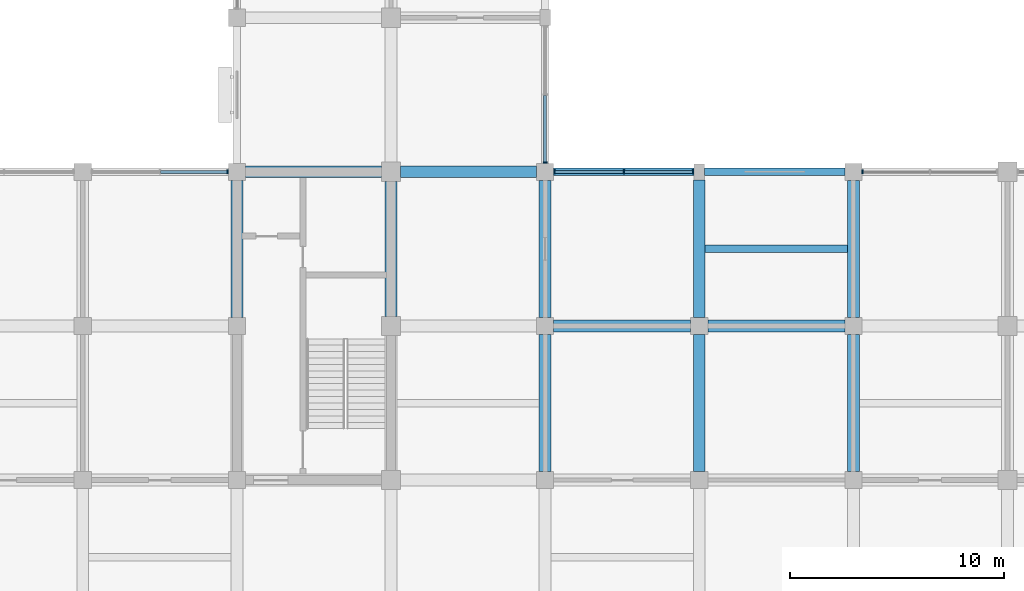
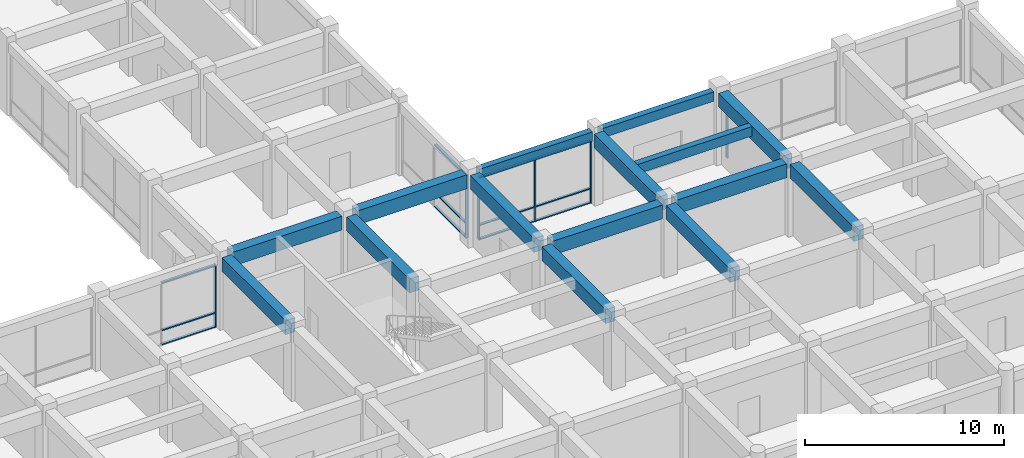
# One storey, part 31 of 75: 18 members, 15 beams, 4 elements without a shape of their own.
"""IFC4 building model written with IfcOpenShell, lengths in metres."""

from ifc_helpers import new_model, si_unit, direction, frame, origin, origin_2d, place, context, subcontext, project, spatial, rectangle, extrude, material, layer, layer_set, material_profile, profile_set, type_object, element, aggregate, save


model = new_model("IFC4")

# Units and contexts
model_context = context("Model", 3, precision=1e-05, world=origin(), true_north=direction((0.0, 1.0)))
body_context = subcontext(model_context, "Body", "Model", "MODEL_VIEW")
ifc_project = project(units=[si_unit("LENGTHUNIT", "METRE"), si_unit("AREAUNIT", "SQUARE_METRE"), si_unit("VOLUMEUNIT", "CUBIC_METRE"), si_unit("PLANEANGLEUNIT", "RADIAN"), si_unit("MASSUNIT", "GRAM", prefix="KILO")], contexts=[model_context])

# Site, building, storey
site_placement = place(None, origin())
site = spatial("IfcSite", under=ifc_project, at=site_placement, CompositionType="ELEMENT")
building_placement = place(site_placement, origin())
building = spatial("IfcBuilding", under=site, at=building_placement, Name="Cendaluz Park School", CompositionType="ELEMENT")
storey_placement = place(building_placement, frame((0.0, 0.0, 4.800048828125)))
storey = spatial("IfcBuildingStorey", under=building, at=storey_placement, Name="L01", CompositionType="ELEMENT", Elevation=4.800048828125)

# Beams
ifc_material_1 = material(Name="Concrete C40/50", Category="concrete")
ifc_material_profile_1 = material_profile(ifc_material_1, rectangle(XDim=0.550048828125, YDim=0.85009765625, at=origin_2d()), Name="RC 550x850", Category="concrete")
ifc_profile_set_1 = profile_set([ifc_material_profile_1], Name="Concrete C40/50")
beam_type_1 = type_object("IfcBeamType", Name="BM-RC01", PredefinedType="BEAM", material=ifc_profile_set_1)
for number, where, z_axis, x_axis, name in (
    (1, (130.0, 28.800048828125, 4.0048828125), (1.0, 0.0, 0.0), (0.0, 1.0, 0.0), "BM-L01-BMRC01-0160"),
    (2, (137.25, 28.800048828125, 4.0048828125), (1.0, 0.0, 0.0), (0.0, 1.0, 0.0), "BM-L01-BMRC01-0177"),
):
    element("IfcBeam", number, at=place(storey_placement, frame(where, z_axis=z_axis, x_axis=x_axis)), inside=storey, type_object=beam_type_1, Name=name, PredefinedType="BEAM", context=body_context, shape_type="SweptSolid", body=[
        extrude(rectangle(XDim=0.550048828125, YDim=0.85009765625, at=origin_2d()), origin(), (0.0, 0.0, 1.0), 6.35009765625),
    ])
beam_1_placement = place(storey_placement, frame((144.39990234375, 21.60009765625, 4.0048828125), z_axis=(1.0, 0.0, 0.0), x_axis=(0.0, 1.0, 0.0)))
element("IfcBeam", 3, at=beam_1_placement, inside=storey, type_object=beam_type_1, Name="BM-L01-BMRC01-0187", PredefinedType="BEAM", context=body_context, shape_type="SweptSolid", body=[
    extrude(rectangle(XDim=0.550048828125, YDim=0.85009765625, at=origin_2d()), origin(), (0.0, 0.0, 1.0), 6.400146484375),
])
for number, where, z_axis, x_axis, name in (
    (4, (151.60009765625, 21.60009765625, 4.0048828125), (1.0, 0.0, 0.0), (0.0, 1.0, 0.0), "BM-L01-BMRC01-0196"),
    (5, (129.60009765625, 22.0, 4.0048828125), (0.0, 1.0, 0.0), (-1.0, 0.0, 0.0), "BM-L01-BMRC01-0390"),
):
    element("IfcBeam", number, at=place(storey_placement, frame(where, z_axis=z_axis, x_axis=x_axis)), inside=storey, type_object=beam_type_1, Name=name, PredefinedType="BEAM", context=body_context, shape_type="SweptSolid", body=[
        extrude(rectangle(XDim=0.550048828125, YDim=0.85009765625, at=origin_2d()), origin(), (0.0, 0.0, 1.0), 6.39990234375),
    ])
beam_2_placement = place(storey_placement, frame((136.800048828125, 22.050048828125, 4.0048828125), z_axis=(0.0, 1.0, 0.0), x_axis=(-1.0, 0.0, 0.0)))
element("IfcBeam", 6, at=beam_2_placement, inside=storey, type_object=beam_type_1, Name="BM-L01-BMRC01-0406", PredefinedType="BEAM", context=body_context, shape_type="SweptSolid", body=[
    extrude(rectangle(XDim=0.550048828125, YDim=0.85009765625, at=origin_2d()), origin(), (0.0, 0.0, 1.0), 6.300048828125),
])
for number, where, z_axis, x_axis, name in (
    (7, (144.0, 14.800048828125, 4.0048828125), (0.0, 1.0, 0.0), (-1.0, 0.0, 0.0), "BM-L01-BMRC01-0421"),
    (8, (144.0, 22.0, 4.0048828125), (0.0, 1.0, 0.0), (-1.0, 0.0, 0.0), "BM-L01-BMRC01-0422"),
    (9, (151.199951171875, 14.800048828125, 4.0048828125), (0.0, 1.0, 0.0), (-1.0, 0.0, 0.0), "BM-L01-BMRC01-0431"),
):
    element("IfcBeam", number, at=place(storey_placement, frame(where, z_axis=z_axis, x_axis=x_axis)), inside=storey, type_object=beam_type_1, Name=name, PredefinedType="BEAM", context=body_context, shape_type="SweptSolid", body=[
        extrude(rectangle(XDim=0.550048828125, YDim=0.85009765625, at=origin_2d()), origin(), (0.0, 0.0, 1.0), 6.39990234375),
    ])
beam_3_placement = place(storey_placement, frame((151.199951171875, 22.0, 4.0048828125), z_axis=(0.0, 1.0, 0.0), x_axis=(-1.0, 0.0, 0.0)))
element("IfcBeam", 10, at=beam_3_placement, inside=storey, type_object=beam_type_1, Name="BM-L01-BMRC01-0432", PredefinedType="BEAM", context=body_context, shape_type="SweptSolid", body=[
    extrude(rectangle(XDim=0.550048828125, YDim=0.85009765625, at=origin_2d()), origin(), (0.0, 0.0, 1.0), 6.425048828125),
])
for number, where, z_axis, x_axis, name in (
    (11, (158.39990234375, 14.800048828125, 4.0048828125), (0.0, 1.0, 0.0), (-1.0, 0.0, 0.0), "BM-L01-BMRC01-0437"),
    (12, (158.39990234375, 22.0, 4.0048828125), (0.0, 1.0, 0.0), (-1.0, 0.0, 0.0), "BM-L01-BMRC01-0438"),
):
    element("IfcBeam", number, at=place(storey_placement, frame(where, z_axis=z_axis, x_axis=x_axis)), inside=storey, type_object=beam_type_1, Name=name, PredefinedType="BEAM", context=body_context, shape_type="SweptSolid", body=[
        extrude(rectangle(XDim=0.550048828125, YDim=0.85009765625, at=origin_2d()), origin(), (0.0, 0.0, 1.0), 6.39990234375),
    ])
ifc_material_profile_2 = material_profile(ifc_material_1, rectangle(XDim=0.35009765625, YDim=0.580078125, at=origin_2d()), Name="RC 350x580", Category="concrete")
ifc_profile_set_2 = profile_set([ifc_material_profile_2], Name="Concrete C40/50")
beam_type_2 = type_object("IfcBeamType", Name="BM-RC04", PredefinedType="LINTEL", material=ifc_profile_set_2)
for number, where, z_axis, x_axis, name in (
    (13, (144.39990234375, 28.800048828125, 4.139892578125), (1.0, 0.0, 0.0), (0.0, 1.0, 0.0), "BM-L01-BMRC04-0188"),
    (14, (151.449951171875, 28.800048828125, 4.139892578125), (1.0, 0.0, 0.0), (0.0, 1.0, 0.0), "BM-L01-BMRC04-0197"),
):
    element("IfcBeam", number, at=place(storey_placement, frame(where, z_axis=z_axis, x_axis=x_axis)), inside=storey, type_object=beam_type_2, Name=name, PredefinedType="LINTEL", context=body_context, shape_type="SweptSolid", body=[
        extrude(rectangle(XDim=0.35009765625, YDim=0.580078125, at=origin_2d()), origin(), (0.0, 0.0, 1.0), 6.550048828125),
    ])

# Curtain wall, member
ifc_material_2 = material(Name="Anodised Aluminium 6063-T6", Category="aluminium")
ifc_layer_1 = layer(ifc_material_2, 0.179931640625)
ifc_layer_set_1 = layer_set([ifc_layer_1], Name="Anodised Aluminium 6063-T6")
curtain_wall_type_1 = type_object("IfcCurtainWallType", Name="CW-128x77", PredefinedType="NOTDEFINED", material=ifc_layer_set_1)
curtain_wall_1_placement = place(storey_placement, origin())
curtain_wall_1 = element("IfcCurtainWall", 15, at=curtain_wall_1_placement, inside=storey, type_object=curtain_wall_type_1, Name="CW-L01-057", PredefinedType="NOTDEFINED")
ifc_material_profile_3 = material_profile(ifc_material_2, rectangle(XDim=0.179931640625, YDim=0.070068359375, at=origin_2d()), Name="CWM 180x70", Category="aluminium")
ifc_profile_set_3 = profile_set([ifc_material_profile_3], Name="Anodised Aluminium 6063-T6")
member_type_1 = type_object("IfcMemberType", Name="CWM-01", PredefinedType="MULLION", material=ifc_profile_set_3)
member_1_placement = place(storey_placement, frame((129.1650390625, 28.800048828125, 0.0), z_axis=(0.0, 0.0, 1.0), x_axis=(0.0, 1.0, 0.0)))
member_1 = element("IfcMember", 16, at=member_1_placement, type_object=member_type_1, Name="CP-L01-0731", PredefinedType="MULLION", context=body_context, shape_type="SweptSolid", body=[
    extrude(rectangle(XDim=0.179931640625, YDim=0.070068359375, at=origin_2d()), origin(), (0.0, 0.0, 1.0), 3.849853515625),
])

curtain_wall_2_placement = place(storey_placement, origin())
curtain_wall_2 = element("IfcCurtainWall", 17, at=curtain_wall_2_placement, inside=storey, type_object=curtain_wall_type_1, Name="CW-L01-068", PredefinedType="NOTDEFINED")
member_2_placement = place(storey_placement, frame((144.0, 29.235107421875, 0.0), z_axis=(0.0, 0.0, 1.0), x_axis=(-1.0, 0.0, 0.0)))
member_2 = element("IfcMember", 18, at=member_2_placement, type_object=member_type_1, Name="CP-L01-0872", PredefinedType="MULLION", context=body_context, shape_type="SweptSolid", body=[
    extrude(rectangle(XDim=0.179931640625, YDim=0.070068359375, at=origin_2d()), origin(), (0.0, 0.0, 1.0), 3.849853515625),
])

# Curtain wall, members
ifc_layer_2 = layer(ifc_material_2, 0.179931640625)
ifc_layer_set_2 = layer_set([ifc_layer_2], Name="Anodised Aluminium 6063-T6")
curtain_wall_type_2 = type_object("IfcCurtainWallType", Name="CW-131x77", PredefinedType="NOTDEFINED", material=ifc_layer_set_2)
curtain_wall_3_placement = place(storey_placement, origin())
curtain_wall_3 = element("IfcCurtainWall", 19, at=curtain_wall_3_placement, inside=storey, type_object=curtain_wall_type_2, Name="CW-L01-071", PredefinedType="NOTDEFINED")
member_3_placement = place(storey_placement, frame((144.43505859375, 28.800048828125, 0.0), z_axis=(0.0, 0.0, 1.0), x_axis=(0.0, 1.0, 0.0)))
member_3 = element("IfcMember", 20, at=member_3_placement, type_object=member_type_1, Name="CP-L01-0911", PredefinedType="MULLION", context=body_context, shape_type="SweptSolid", body=[
    extrude(rectangle(XDim=0.179931640625, YDim=0.070068359375, at=origin_2d()), origin(), (0.0, 0.0, 1.0), 3.849853515625),
])
member_4_placement = place(storey_placement, frame((147.675048828125, 28.800048828125, 0.0), z_axis=(0.0, 0.0, 1.0), x_axis=(0.0, 1.0, 0.0)))
member_4 = element("IfcMember", 21, at=member_4_placement, type_object=member_type_1, Name="CP-L01-0912", PredefinedType="MULLION", context=body_context, shape_type="SweptSolid", body=[
    extrude(rectangle(XDim=0.179931640625, YDim=0.070068359375, at=origin_2d()), origin(), (0.0, 0.0, 1.0), 3.849853515625),
])
member_5_placement = place(storey_placement, frame((150.9150390625, 28.800048828125, 0.0), z_axis=(0.0, 0.0, 1.0), x_axis=(0.0, 1.0, 0.0)))
member_5 = element("IfcMember", 22, at=member_5_placement, type_object=member_type_1, Name="CP-L01-0913", PredefinedType="MULLION", context=body_context, shape_type="SweptSolid", body=[
    extrude(rectangle(XDim=0.179931640625, YDim=0.070068359375, at=origin_2d()), origin(), (0.0, 0.0, 1.0), 3.849853515625),
])

# Curtain wall, member
ifc_layer_3 = layer(ifc_material_2, 0.179931640625)
ifc_layer_set_3 = layer_set([ifc_layer_3], Name="Anodised Aluminium 6063-T6")
curtain_wall_type_3 = type_object("IfcCurtainWallType", Name="CW-127x77", PredefinedType="NOTDEFINED", material=ifc_layer_set_3)
curtain_wall_4_placement = place(storey_placement, origin())
curtain_wall_4 = element("IfcCurtainWall", 23, at=curtain_wall_4_placement, inside=storey, type_object=curtain_wall_type_3, Name="CW-L01-075", PredefinedType="NOTDEFINED")
member_6_placement = place(storey_placement, frame((158.8349609375, 28.800048828125, 0.0), z_axis=(0.0, 0.0, 1.0), x_axis=(0.0, 1.0, 0.0)))
member_6 = element("IfcMember", 24, at=member_6_placement, type_object=member_type_1, Name="CP-L01-0963", PredefinedType="MULLION", context=body_context, shape_type="SweptSolid", body=[
    extrude(rectangle(XDim=0.179931640625, YDim=0.070068359375, at=origin_2d()), origin(), (0.0, 0.0, 1.0), 3.849853515625),
])
aggregate(curtain_wall_4, [member_6])

# Member
ifc_material_profile_4 = material_profile(ifc_material_2, rectangle(XDim=0.139892578125, YDim=0.070068359375, at=origin_2d()), Name="CWT 140x70", Category="aluminium")
ifc_profile_set_4 = profile_set([ifc_material_profile_4], Name="Anodised Aluminium 6063-T6")
member_type_2 = type_object("IfcMemberType", Name="CWT-01", PredefinedType="USERDEFINED", material=ifc_profile_set_4)
member_7_placement = place(storey_placement, frame((126.034912109375, 28.800048828125, 0.034912109375), z_axis=(1.0, 0.0, 0.0), x_axis=(0.0, 1.0, 0.0)))
member_7 = element("IfcMember", 25, at=member_7_placement, type_object=member_type_2, Name="CP-L01-0737", ObjectType="TRANSOM", PredefinedType="USERDEFINED", context=body_context, shape_type="SweptSolid", body=[
    extrude(rectangle(XDim=0.139892578125, YDim=0.070068359375, at=origin_2d()), origin(), (0.0, 0.0, 1.0), 3.094970703125),
])

member_8_placement = place(storey_placement, frame((126.034912109375, 28.800048828125, 0.89990234375), z_axis=(1.0, 0.0, 0.0), x_axis=(0.0, 1.0, 0.0)))
member_8 = element("IfcMember", 26, at=member_8_placement, type_object=member_type_2, Name="CP-L01-0738", ObjectType="TRANSOM", PredefinedType="USERDEFINED", context=body_context, shape_type="SweptSolid", body=[
    extrude(rectangle(XDim=0.139892578125, YDim=0.070068359375, at=origin_2d()), origin(), (0.0, 0.0, 1.0), 3.094970703125),
])

member_9_placement = place(storey_placement, frame((126.034912109375, 28.800048828125, 3.81494140625), z_axis=(1.0, 0.0, 0.0), x_axis=(0.0, 1.0, 0.0)))
member_9 = element("IfcMember", 27, at=member_9_placement, type_object=member_type_2, Name="CP-L01-0739", ObjectType="TRANSOM", PredefinedType="USERDEFINED", context=body_context, shape_type="SweptSolid", body=[
    extrude(rectangle(XDim=0.139892578125, YDim=0.070068359375, at=origin_2d()), origin(), (0.0, 0.0, 1.0), 3.094970703125),
])

aggregate(curtain_wall_1, [member_1, member_7, member_8, member_9])

member_10_placement = place(storey_placement, frame((144.0, 29.27001953125, 0.034912109375), z_axis=(0.0, 1.0, 0.0), x_axis=(-1.0, 0.0, 0.0)))
member_10 = element("IfcMember", 28, at=member_10_placement, type_object=member_type_2, Name="CP-L01-0875", ObjectType="TRANSOM", PredefinedType="USERDEFINED", context=body_context, shape_type="SweptSolid", body=[
    extrude(rectangle(XDim=0.139892578125, YDim=0.070068359375, at=origin_2d()), origin(), (0.0, 0.0, 1.0), 3.107421875),
])

member_11_placement = place(storey_placement, frame((144.0, 29.27001953125, 0.89990234375), z_axis=(0.0, 1.0, 0.0), x_axis=(-1.0, 0.0, 0.0)))
member_11 = element("IfcMember", 29, at=member_11_placement, type_object=member_type_2, Name="CP-L01-0876", ObjectType="TRANSOM", PredefinedType="USERDEFINED", context=body_context, shape_type="SweptSolid", body=[
    extrude(rectangle(XDim=0.139892578125, YDim=0.070068359375, at=origin_2d()), origin(), (0.0, 0.0, 1.0), 3.107421875),
])

member_12_placement = place(storey_placement, frame((144.0, 29.27001953125, 3.81494140625), z_axis=(0.0, 1.0, 0.0), x_axis=(-1.0, 0.0, 0.0)))
member_12 = element("IfcMember", 30, at=member_12_placement, type_object=member_type_2, Name="CP-L01-0877", ObjectType="TRANSOM", PredefinedType="USERDEFINED", context=body_context, shape_type="SweptSolid", body=[
    extrude(rectangle(XDim=0.139892578125, YDim=0.070068359375, at=origin_2d()), origin(), (0.0, 0.0, 1.0), 3.107421875),
])

aggregate(curtain_wall_2, [member_2, member_10, member_11, member_12])

member_13_placement = place(storey_placement, frame((144.469970703125, 28.800048828125, 0.034912109375), z_axis=(1.0, 0.0, 0.0), x_axis=(0.0, 1.0, 0.0)))
member_13 = element("IfcMember", 31, at=member_13_placement, type_object=member_type_2, Name="CP-L01-0914", ObjectType="TRANSOM", PredefinedType="USERDEFINED", context=body_context, shape_type="SweptSolid", body=[
    extrude(rectangle(XDim=0.139892578125, YDim=0.070068359375, at=origin_2d()), origin(), (0.0, 0.0, 1.0), 3.169921875),
])

member_14_placement = place(storey_placement, frame((144.469970703125, 28.800048828125, 0.89990234375), z_axis=(1.0, 0.0, 0.0), x_axis=(0.0, 1.0, 0.0)))
member_14 = element("IfcMember", 32, at=member_14_placement, type_object=member_type_2, Name="CP-L01-0915", ObjectType="TRANSOM", PredefinedType="USERDEFINED", context=body_context, shape_type="SweptSolid", body=[
    extrude(rectangle(XDim=0.139892578125, YDim=0.070068359375, at=origin_2d()), origin(), (0.0, 0.0, 1.0), 3.169921875),
])

member_15_placement = place(storey_placement, frame((144.469970703125, 28.800048828125, 3.81494140625), z_axis=(1.0, 0.0, 0.0), x_axis=(0.0, 1.0, 0.0)))
member_15 = element("IfcMember", 33, at=member_15_placement, type_object=member_type_2, Name="CP-L01-0916", ObjectType="TRANSOM", PredefinedType="USERDEFINED", context=body_context, shape_type="SweptSolid", body=[
    extrude(rectangle(XDim=0.139892578125, YDim=0.070068359375, at=origin_2d()), origin(), (0.0, 0.0, 1.0), 3.169921875),
])

member_16_placement = place(storey_placement, frame((147.7099609375, 28.800048828125, 0.034912109375), z_axis=(1.0, 0.0, 0.0), x_axis=(0.0, 1.0, 0.0)))
member_16 = element("IfcMember", 34, at=member_16_placement, type_object=member_type_2, Name="CP-L01-0919", ObjectType="TRANSOM", PredefinedType="USERDEFINED", context=body_context, shape_type="SweptSolid", body=[
    extrude(rectangle(XDim=0.139892578125, YDim=0.070068359375, at=origin_2d()), origin(), (0.0, 0.0, 1.0), 3.169921875),
])

member_17_placement = place(storey_placement, frame((147.7099609375, 28.800048828125, 0.89990234375), z_axis=(1.0, 0.0, 0.0), x_axis=(0.0, 1.0, 0.0)))
member_17 = element("IfcMember", 35, at=member_17_placement, type_object=member_type_2, Name="CP-L01-0920", ObjectType="TRANSOM", PredefinedType="USERDEFINED", context=body_context, shape_type="SweptSolid", body=[
    extrude(rectangle(XDim=0.139892578125, YDim=0.070068359375, at=origin_2d()), origin(), (0.0, 0.0, 1.0), 3.169921875),
])

member_18_placement = place(storey_placement, frame((147.7099609375, 28.800048828125, 3.81494140625), z_axis=(1.0, 0.0, 0.0), x_axis=(0.0, 1.0, 0.0)))
member_18 = element("IfcMember", 36, at=member_18_placement, type_object=member_type_2, Name="CP-L01-0921", ObjectType="TRANSOM", PredefinedType="USERDEFINED", context=body_context, shape_type="SweptSolid", body=[
    extrude(rectangle(XDim=0.139892578125, YDim=0.070068359375, at=origin_2d()), origin(), (0.0, 0.0, 1.0), 3.169921875),
])

aggregate(curtain_wall_3, [member_3, member_4, member_5, member_13, member_14, member_15, member_16, member_17, member_18])

# Beam
ifc_material_profile_5 = material_profile(ifc_material_1, rectangle(XDim=0.35009765625, YDim=0.580078125, at=origin_2d()), Name="RC 350x580", Category="concrete")
ifc_profile_set_5 = profile_set([ifc_material_profile_5], Name="Concrete C40/50")
beam_type_3 = type_object("IfcBeamType", Name="JT-RC01", PredefinedType="JOIST", material=ifc_profile_set_5)
beam_4_placement = place(storey_placement, frame((151.47509765625, 25.199951171875, 4.139892578125), z_axis=(1.0, 0.0, 0.0), x_axis=(0.0, 1.0, 0.0)))
element("IfcBeam", 37, at=beam_4_placement, inside=storey, type_object=beam_type_3, Name="BM-L01-JTRC01-0518", PredefinedType="JOIST", context=body_context, shape_type="SweptSolid", body=[
    extrude(rectangle(XDim=0.35009765625, YDim=0.580078125, at=origin_2d()), origin(), (0.0, 0.0, 1.0), 6.64990234375),
])

save(model, "model.ifc")
